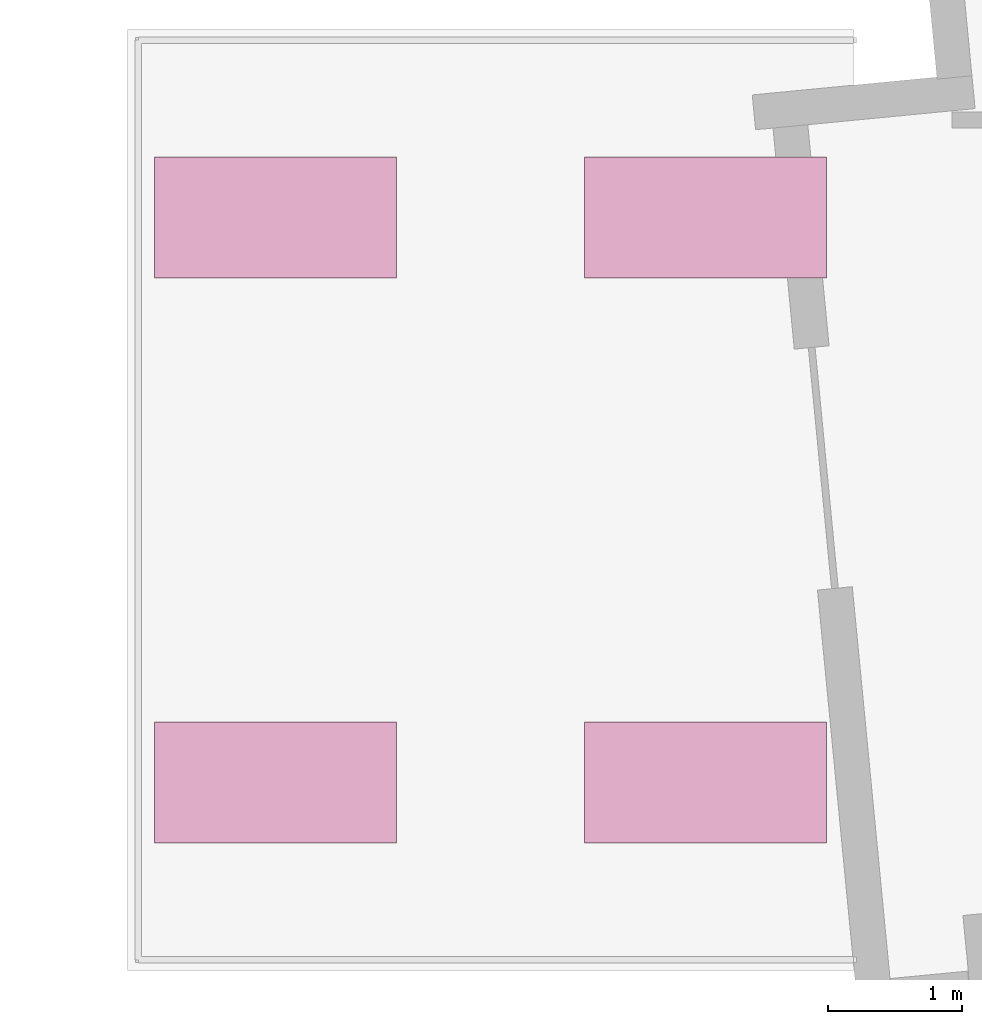
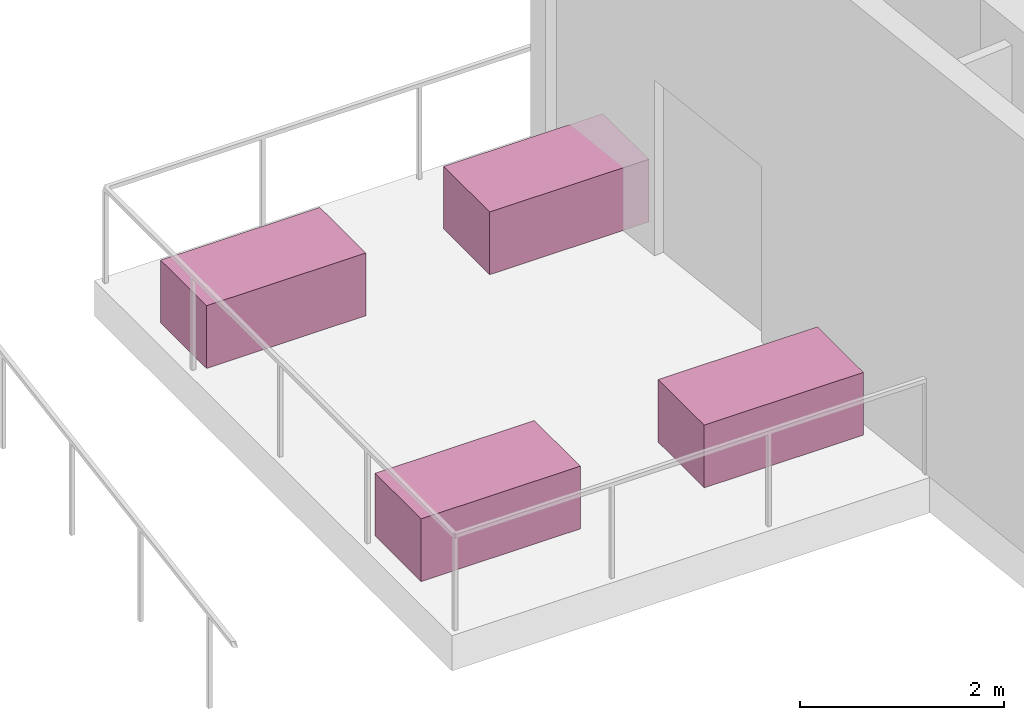
# One storey, part 21 of 21: 4 furnishings.
"""IFC4 building model written with IfcOpenShell, lengths in metres."""

from ifc_helpers import new_model, si_unit, direction, frame, origin, origin_2d, place, context, subcontext, project, spatial, rectangle, extrude, source, transform, mapped, material, type_object, type_shapes, element, save


model = new_model("IFC4")

# Units and contexts
model_context = context("Model", 3, precision=1e-05, world=origin(), true_north=direction((0.0, 1.0)))
body_context = subcontext(model_context, "Body", "Model", "MODEL_VIEW")
ifc_project = project(units=[si_unit("LENGTHUNIT", "METRE"), si_unit("AREAUNIT", "SQUARE_METRE"), si_unit("VOLUMEUNIT", "CUBIC_METRE"), si_unit("PLANEANGLEUNIT", "RADIAN"), si_unit("MASSUNIT", "GRAM", prefix="KILO")], contexts=[model_context])

# Site, building, storey
site_placement = place(None, origin())
site = spatial("IfcSite", under=ifc_project, at=site_placement, CompositionType="ELEMENT")
building_placement = place(site_placement, origin())
building = spatial("IfcBuilding", under=site, at=building_placement, Name="Astriad Promenade Condominiums", CompositionType="ELEMENT")
storey_placement = place(building_placement, frame((0.0, 0.0, 167.800048828125)))
storey = spatial("IfcBuildingStorey", under=building, at=storey_placement, Name="L48", CompositionType="ELEMENT", Elevation=167.800048828125)

# Furnishings
ifc_material = material(Name="Architectural Precast Concrete Planter", Category="concrete")
furnishing_element_type = type_object("IfcFurnishingElementType", Name="PLANTER-SKYGARDEN-1800", material=ifc_material)
shared_shape = source(origin(), body_context, "Body", "SweptSolid", [
    extrude(rectangle(XDim=1.800048828125, YDim=0.89990234375, at=origin_2d()), origin(), (0.0, 0.0, 1.0), 0.75),
])
type_shapes(furnishing_element_type, [shared_shape])
for number, where, z_axis, x_axis, name in (
    (1, (9.5, 16.60009765625, 0.0), (0.0, 0.0, 1.0), (1.0, 0.0, 0.0), "PLN-SG-L48-1"),
    (2, (12.699951171875, 16.60009765625, 0.0), (0.0, 0.0, 1.0), (1.0, 0.0, 0.0), "PLN-SG-L48-2"),
    (3, (9.5, 20.800048828125, 0.0), (0.0, 0.0, 1.0), (1.0, 0.0, 0.0), "PLN-SG-L48-3"),
    (4, (12.699951171875, 20.800048828125, 0.0), (0.0, 0.0, 1.0), (1.0, 0.0, 0.0), "PLN-SG-L48-4"),
):
    element("IfcFurnishingElement", number, at=place(storey_placement, frame(where, z_axis=z_axis, x_axis=x_axis)), inside=storey, type_object=furnishing_element_type, Name=name, ObjectType="PLANTER", context=body_context, shape_type="MappedRepresentation", body=[
        mapped(shared_shape, transform((0.0, 0.0, 0.0), scale=1.0)),
    ])

save(model, "model.ifc")
